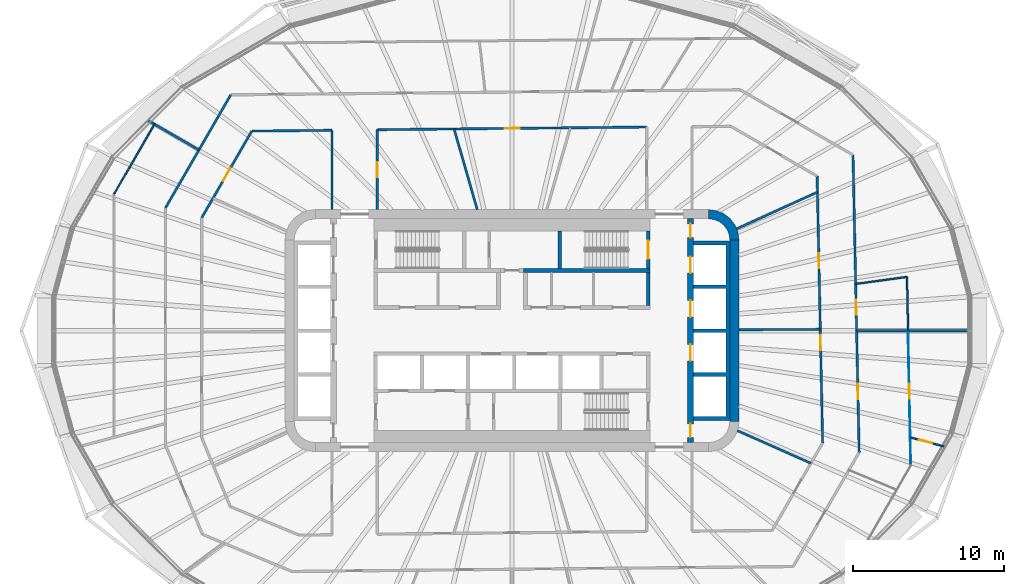
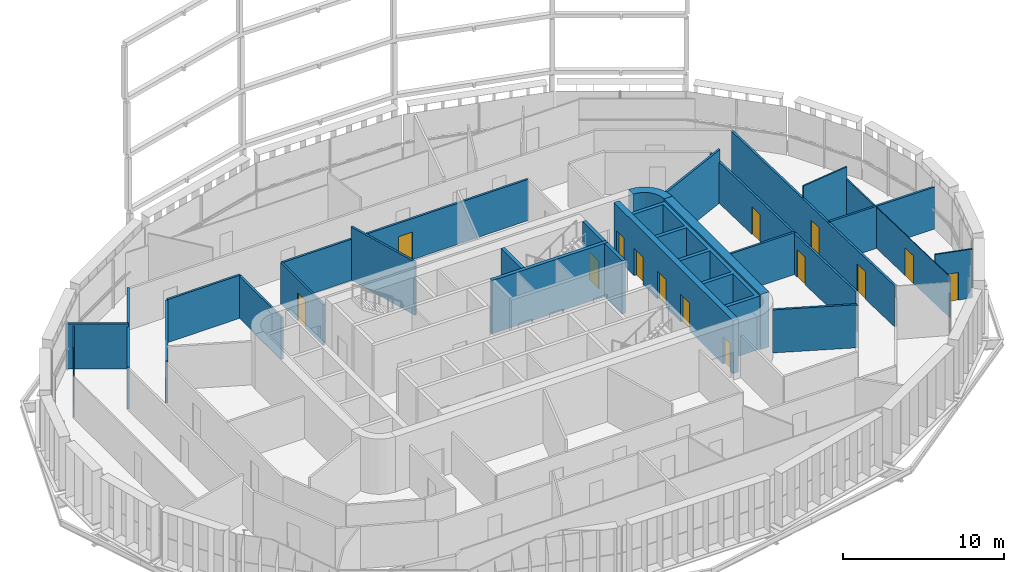
# One storey, part 13 of 22: 27 walls, 15 doors, 15 openings.
"""IFC4 building model written with IfcOpenShell, lengths in metres."""

from ifc_helpers import new_model, si_unit, direction, frame, frame_2d, origin, place, context, subcontext, project, spatial, polyline, rectangle, outline, extrude, material, layer, layer_set, type_object, element, fill, save


model = new_model("IFC4")

# Units and contexts
model_context = context("Model", 3, precision=1e-05, world=origin(), true_north=direction((0.0, 1.0)))
body_context = subcontext(model_context, "Body", "Model", "MODEL_VIEW")
ifc_project = project(units=[si_unit("LENGTHUNIT", "METRE"), si_unit("AREAUNIT", "SQUARE_METRE"), si_unit("VOLUMEUNIT", "CUBIC_METRE"), si_unit("PLANEANGLEUNIT", "RADIAN"), si_unit("MASSUNIT", "GRAM", prefix="KILO")], contexts=[model_context])

# Site, building, storey
site_placement = place(None, origin())
site = spatial("IfcSite", under=ifc_project, at=site_placement, CompositionType="ELEMENT")
building_placement = place(site_placement, origin())
building = spatial("IfcBuilding", under=site, at=building_placement, Name="Sahrelin Media Tower", CompositionType="ELEMENT")
storey_placement = place(building_placement, frame((0.0, 0.0, 50.39990234375)))
storey = spatial("IfcBuildingStorey", under=building, at=storey_placement, Name="L07", CompositionType="ELEMENT", Elevation=50.39990234375)

# Walls
ifc_material_1 = material(Name="Concrete C60/75", Category="concrete")
ifc_layer_1 = layer(ifc_material_1, 0.60009765625)
ifc_layer_set_1 = layer_set([ifc_layer_1], Name="Core wall 600")
wall_type_1 = type_object("IfcWallType", Name="Core wall 600", PredefinedType="SHEAR", material=ifc_layer_set_1)
wall_1_placement = place(storey_placement, frame((14.699951171875, -6.0, 0.0), z_axis=(0.0, 0.0, 1.0), x_axis=(0.0, 1.0, 0.0)))
element("IfcWall", 1, at=wall_1_placement, inside=storey, type_object=wall_type_1, Name="Core wall E L07", PredefinedType="SHEAR", context=body_context, shape_type="SweptSolid", body=[
    extrude(rectangle(XDim=12.0, YDim=0.60009765625, at=frame_2d((6.0, 0.0))), origin(), (0.0, 0.0, 1.0), 4.2001953125),
])
placement = place(storey_placement, origin())
element("IfcWall", 2, at=placement, inside=storey, type_object=wall_type_1, Name="Core wall corner NE L07", PredefinedType="SHEAR", context=body_context, shape_type="SweptSolid", body=[
    extrude(outline(polyline([(13.0, 8.0), (13.0, 7.394775390625), (13.361083984375, 7.347412109375), (13.697509765625, 7.2080078125), (13.986328125, 6.986328125), (14.2080078125, 6.697509765625), (14.347412109375, 6.361083984375), (14.394775390625, 6.0), (15.0, 6.0), (14.931884765625, 6.517578125), (14.732177734375, 7.0), (14.414306640625, 7.414306640625), (14.0, 7.732177734375), (13.517578125, 7.931884765625), (13.0, 8.0)])), origin(), (0.0, 0.0, 1.0), 4.2001953125),
])
ifc_material_2 = material(Name="Fire-rated gypsum board partition")
ifc_layer_2 = layer(ifc_material_2, 0.25)
ifc_layer_set_2 = layer_set([ifc_layer_2], Name="Fire-rated lobby wall 250")
wall_type_2 = type_object("IfcWallType", Name="Fire-rated lobby wall 250", PredefinedType="PARTITIONING", material=ifc_layer_set_2)
wall_3_placement = place(storey_placement, frame((9.0, 1.64990234375, 0.0), z_axis=(0.0, 0.0, 1.0), x_axis=(0.0, 1.0, 0.0)))
element("IfcWall", 3, at=wall_3_placement, inside=storey, type_object=wall_type_2, Name="Core lobby wall", PredefinedType="PARTITIONING", context=body_context, shape_type="SweptSolid", body=[
    extrude(rectangle(XDim=2.2001953125, YDim=0.25, at=frame_2d((1.10009765625, 0.0))), origin(), (0.0, 0.0, 1.0), 4.050048828125),
])

# Wall, openings, doors
ifc_layer_3 = layer(ifc_material_2, 0.14990234375)
ifc_layer_set_3 = layer_set([ifc_layer_3], Name="Fire-rated partition 150")
wall_type_3 = type_object("IfcWallType", Name="Fire-rated partition 150", PredefinedType="PARTITIONING", material=ifc_layer_set_3)
wall_4_placement = place(storey_placement, frame((20.1669921875, 10.212890625, 0.0), z_axis=(0.0, 0.0, 1.0), x_axis=(0.020624730832, -0.999787287616, 0.0)))
wall_4 = element("IfcWall", 4, at=wall_4_placement, inside=storey, type_object=wall_type_3, Name="Wall", PredefinedType="PARTITIONING", context=body_context, shape_type="SweptSolid", body=[
    extrude(rectangle(XDim=17.637451171875, YDim=0.14990234375, at=frame_2d((8.81884765625, 0.0))), origin(), (0.0, 0.0, 1.0), 3.127197265625),
])
opening_1_placement = place(wall_4_placement, frame((10.507568359375, 0.0, 0.0)))
opening_1 = element("IfcOpeningElement", 5, at=opening_1_placement, cuts=wall_4, Name="Opening L07-D27", PredefinedType="OPENING", context=body_context, shape_type="SweptSolid", body=[
    extrude(rectangle(XDim=1.0, YDim=2.10009765625, at=frame_2d((0.5, 1.050048828125))), frame((0.0, 0.074951171875, 0.0), z_axis=(0.0, -1.0, 0.0), x_axis=(1.0, 0.0, 0.0)), (0.0, 0.0, 1.0), 0.14990234375),
])
opening_2_placement = place(wall_4_placement, frame((5.08935546875, 0.0, 0.0)))
opening_2 = element("IfcOpeningElement", 6, at=opening_2_placement, cuts=wall_4, Name="Opening L07-D28", PredefinedType="OPENING", context=body_context, shape_type="SweptSolid", body=[
    extrude(rectangle(XDim=1.0, YDim=2.10009765625, at=frame_2d((0.5, 1.050048828125))), frame((0.0, 0.074951171875, 0.0), z_axis=(0.0, -1.0, 0.0), x_axis=(1.0, 0.0, 0.0)), (0.0, 0.0, 1.0), 0.14990234375),
])
ifc_material_3 = material(Name="Steel fire door leaf", Category="steel")
door_type_1 = type_object("IfcDoorType", Name="Fire door 1000 x 2100 EI 60", OperationType="NOTDEFINED", PredefinedType="DOOR", material=ifc_material_3)
door_1_placement = place(opening_1_placement, origin())
door_1 = element("IfcDoor", 7, at=door_1_placement, inside=storey, type_object=door_type_1, Name="Fire door", OperationType="SINGLE_SWING_RIGHT", OverallHeight=2.10009765625, OverallWidth=1.0, PredefinedType="DOOR", context=body_context, shape_type="SweptSolid", body=[
    extrude(rectangle(XDim=1.0, YDim=2.10009765625, at=frame_2d((0.5, 1.050048828125))), frame((0.0, 0.02490234375, 0.0), z_axis=(0.0, -1.0, 0.0), x_axis=(1.0, 0.0, 0.0)), (0.0, 0.0, 1.0), 0.050048828125),
])
fill(opening_1, door_1)
door_2_placement = place(opening_2_placement, origin())
door_2 = element("IfcDoor", 8, at=door_2_placement, inside=storey, type_object=door_type_1, Name="Fire door", OperationType="SINGLE_SWING_LEFT", OverallHeight=2.10009765625, OverallWidth=1.0, PredefinedType="DOOR", context=body_context, shape_type="SweptSolid", body=[
    extrude(rectangle(XDim=1.0, YDim=2.10009765625, at=frame_2d((0.5, 1.050048828125))), frame((0.0, 0.02490234375, 0.0), z_axis=(0.0, -1.0, 0.0), x_axis=(1.0, 0.0, 0.0)), (0.0, 0.0, 1.0), 0.050048828125),
])
fill(opening_2, door_2)

wall_5_placement = place(storey_placement, frame((22.53857421875, 11.614990234375, 0.0), z_axis=(0.0, 0.0, 1.0), x_axis=(0.020613919434, -0.999787510587, 0.0)))
wall_5 = element("IfcWall", 9, at=wall_5_placement, inside=storey, type_object=wall_type_3, Name="Wall", PredefinedType="PARTITIONING", context=body_context, shape_type="SweptSolid", body=[
    extrude(rectangle(XDim=19.66015625, YDim=0.14990234375, at=frame_2d((9.830078125, 0.0))), origin(), (0.0, 0.0, 1.0), 3.127197265625),
])
opening_3_placement = place(wall_5_placement, frame((9.56982421875, 0.0, 0.0)))
opening_3 = element("IfcOpeningElement", 10, at=opening_3_placement, cuts=wall_5, Name="Opening L07-D37", PredefinedType="OPENING", context=body_context, shape_type="SweptSolid", body=[
    extrude(rectangle(XDim=1.0, YDim=2.10009765625, at=frame_2d((0.5, 1.050048828125))), frame((0.0, 0.074951171875, 0.0), z_axis=(0.0, -1.0, 0.0), x_axis=(1.0, 0.0, 0.0)), (0.0, 0.0, 1.0), 0.14990234375),
])
opening_4_placement = place(wall_5_placement, frame((15.139404296875, 0.0, 0.0)))
opening_4 = element("IfcOpeningElement", 11, at=opening_4_placement, cuts=wall_5, Name="Opening L07-D57", PredefinedType="OPENING", context=body_context, shape_type="SweptSolid", body=[
    extrude(rectangle(XDim=1.0, YDim=2.10009765625, at=frame_2d((0.5, 1.050048828125))), frame((0.0, 0.074951171875, 0.0), z_axis=(0.0, -1.0, 0.0), x_axis=(1.0, 0.0, 0.0)), (0.0, 0.0, 1.0), 0.14990234375),
])
door_3_placement = place(opening_3_placement, origin())
door_3 = element("IfcDoor", 12, at=door_3_placement, inside=storey, type_object=door_type_1, Name="Fire door", OperationType="SINGLE_SWING_LEFT", OverallHeight=2.10009765625, OverallWidth=1.0, PredefinedType="DOOR", context=body_context, shape_type="SweptSolid", body=[
    extrude(rectangle(XDim=1.0, YDim=2.10009765625, at=frame_2d((0.5, 1.050048828125))), frame((0.0, 0.02490234375, 0.0), z_axis=(0.0, -1.0, 0.0), x_axis=(1.0, 0.0, 0.0)), (0.0, 0.0, 1.0), 0.050048828125),
])
fill(opening_3, door_3)
door_4_placement = place(opening_4_placement, origin())
door_4 = element("IfcDoor", 13, at=door_4_placement, inside=storey, type_object=door_type_1, Name="Fire door", OperationType="SINGLE_SWING_RIGHT", OverallHeight=2.10009765625, OverallWidth=1.0, PredefinedType="DOOR", context=body_context, shape_type="SweptSolid", body=[
    extrude(rectangle(XDim=1.0, YDim=2.10009765625, at=frame_2d((0.5, 1.050048828125))), frame((0.0, 0.02490234375, 0.0), z_axis=(0.0, -1.0, 0.0), x_axis=(1.0, 0.0, 0.0)), (0.0, 0.0, 1.0), 0.050048828125),
])
fill(opening_4, door_4)

# Walls
wall_6_placement = place(storey_placement, frame((-3.826904296875, 13.3330078125, 0.0), z_axis=(0.0, 0.0, 1.0), x_axis=(0.275935525478, -0.961176147113, 0.0)))
element("IfcWall", 14, at=wall_6_placement, inside=storey, type_object=wall_type_3, Name="Wall", PredefinedType="PARTITIONING", context=body_context, shape_type="SweptSolid", body=[
    extrude(rectangle(XDim=5.54833984375, YDim=0.14990234375, at=frame_2d((2.774169921875, 0.0))), origin(), (0.0, 0.0, 1.0), 4.050048828125),
])
wall_7_placement = place(storey_placement, frame((-24.055908203125, 13.888916015625, 0.0), z_axis=(0.0, 0.0, 1.0), x_axis=(0.865926134655, -0.500171899772, 0.0)))
element("IfcWall", 15, at=wall_7_placement, inside=storey, type_object=wall_type_3, Name="Wall", PredefinedType="PARTITIONING", context=body_context, shape_type="SweptSolid", body=[
    extrude(rectangle(XDim=3.886962890625, YDim=0.14990234375, at=frame_2d((1.943359375, 0.0))), origin(), (0.0, 0.0, 1.0), 3.427490234375),
])
wall_8_placement = place(storey_placement, frame((14.89501953125, -6.60693359375, 0.0), z_axis=(0.0, 0.0, 1.0), x_axis=(0.914233271379, -0.405188259337, 0.0)))
element("IfcWall", 16, at=wall_8_placement, inside=storey, type_object=wall_type_3, Name="Wall", PredefinedType="PARTITIONING", context=body_context, shape_type="SweptSolid", body=[
    extrude(rectangle(XDim=5.3173828125, YDim=0.14990234375, at=frame_2d((2.65869140625, 0.0))), origin(), (0.0, 0.0, 1.0), 3.276123046875),
])
wall_9_placement = place(storey_placement, frame((22.778076171875, 0.0, 0.0), z_axis=(0.0, 0.0, 1.0), x_axis=(1.0, 0.0, 0.0)))
element("IfcWall", 17, at=wall_9_placement, inside=storey, type_object=wall_type_3, Name="Wall", PredefinedType="PARTITIONING", context=body_context, shape_type="SweptSolid", body=[
    extrude(rectangle(XDim=7.5888671875, YDim=0.14990234375, at=frame_2d((3.79443359375, 0.0))), origin(), (0.0, 0.0, 1.0), 3.1953125),
])
wall_10_placement = place(storey_placement, frame((15.0, 0.06298828125, 0.0), z_axis=(0.0, 0.0, 1.0), x_axis=(0.999990294223, 0.004405843865, 0.0)))
element("IfcWall", 18, at=wall_10_placement, inside=storey, type_object=wall_type_3, Name="Wall", PredefinedType="PARTITIONING", context=body_context, shape_type="SweptSolid", body=[
    extrude(rectangle(XDim=5.375, YDim=0.14990234375, at=frame_2d((2.6875, 0.0))), origin(), (0.0, 0.0, 1.0), 3.1953125),
])
wall_11_placement = place(storey_placement, frame((-17.194091796875, 13.19091796875, 0.0), z_axis=(0.0, 0.0, 1.0), x_axis=(0.999950853109, 0.009914200296, 0.0)))
element("IfcWall", 19, at=wall_11_placement, inside=storey, type_object=wall_type_3, Name="Wall", PredefinedType="PARTITIONING", context=body_context, shape_type="SweptSolid", body=[
    extrude(rectangle(XDim=5.29443359375, YDim=0.14990234375, at=frame_2d((2.647216796875, 0.0))), origin(), (0.0, 0.0, 1.0), 3.276123046875),
])

# Wall, opening, door
wall_12_placement = place(storey_placement, frame((-8.89990234375, 13.282470703125, 0.0), z_axis=(0.0, 0.0, 1.0), x_axis=(0.999950834077, 0.009916119672, 0.0)))
wall_12 = element("IfcWall", 20, at=wall_12_placement, inside=storey, type_object=wall_type_3, Name="Wall", PredefinedType="PARTITIONING", context=body_context, shape_type="SweptSolid", body=[
    extrude(rectangle(XDim=17.80078125, YDim=0.14990234375, at=frame_2d((8.900390625, 0.0))), origin(), (0.0, 0.0, 1.0), 3.127197265625),
])
opening_5_placement = place(wall_12_placement, frame((8.412109375, 0.0, 0.0)))
opening_5 = element("IfcOpeningElement", 21, at=opening_5_placement, cuts=wall_12, Name="Opening L07-D31", PredefinedType="OPENING", context=body_context, shape_type="SweptSolid", body=[
    extrude(rectangle(XDim=1.0, YDim=2.10009765625, at=frame_2d((0.5, 1.050048828125))), frame((0.0, 0.074951171875, 0.0), z_axis=(0.0, -1.0, 0.0), x_axis=(1.0, 0.0, 0.0)), (0.0, 0.0, 1.0), 0.14990234375),
])
door_5_placement = place(opening_5_placement, origin())
door_5 = element("IfcDoor", 22, at=door_5_placement, inside=storey, type_object=door_type_1, Name="Fire door", OperationType="SINGLE_SWING_LEFT", OverallHeight=2.10009765625, OverallWidth=1.0, PredefinedType="DOOR", context=body_context, shape_type="SweptSolid", body=[
    extrude(rectangle(XDim=1.0, YDim=2.10009765625, at=frame_2d((0.5, 1.050048828125))), frame((0.0, 0.02490234375, 0.0), z_axis=(0.0, -1.0, 0.0), x_axis=(1.0, 0.0, 0.0)), (0.0, 0.0, 1.0), 0.050048828125),
])
fill(opening_5, door_5)

# Wall
wall_13_placement = place(storey_placement, frame((14.843017578125, 6.73291015625, 0.0), z_axis=(0.0, 0.0, 1.0), x_axis=(0.910628361306, 0.413226315214, 0.0)))
element("IfcWall", 23, at=wall_13_placement, inside=storey, type_object=wall_type_3, Name="Wall", PredefinedType="PARTITIONING", context=body_context, shape_type="SweptSolid", body=[
    extrude(rectangle(XDim=5.870361328125, YDim=0.14990234375, at=frame_2d((2.93505859375, 0.0))), origin(), (0.0, 0.0, 1.0), 4.050048828125),
])

# Wall, opening, door
wall_14_placement = place(storey_placement, frame((-20.5, 7.47412109375, 0.0), z_axis=(0.0, 0.0, 1.0), x_axis=(0.500012665616, 0.866018091164, 0.0)))
wall_14 = element("IfcWall", 24, at=wall_14_placement, inside=storey, type_object=wall_type_3, Name="Wall", PredefinedType="PARTITIONING", context=body_context, shape_type="SweptSolid", body=[
    extrude(rectangle(XDim=6.602294921875, YDim=0.14990234375, at=frame_2d((3.30126953125, 0.0))), origin(), (0.0, 0.0, 1.0), 3.1953125),
])
opening_6_placement = place(wall_14_placement, frame((2.80322265625, 0.0, 0.0)))
opening_6 = element("IfcOpeningElement", 25, at=opening_6_placement, cuts=wall_14, Name="Opening L07-D33", PredefinedType="OPENING", context=body_context, shape_type="SweptSolid", body=[
    extrude(rectangle(XDim=1.0, YDim=2.10009765625, at=frame_2d((0.5, 1.050048828125))), frame((0.0, 0.074951171875, 0.0), z_axis=(0.0, -1.0, 0.0), x_axis=(1.0, 0.0, 0.0)), (0.0, 0.0, 1.0), 0.14990234375),
])
door_6_placement = place(opening_6_placement, origin())
door_6 = element("IfcDoor", 26, at=door_6_placement, inside=storey, type_object=door_type_1, Name="Fire door", OperationType="SINGLE_SWING_LEFT", OverallHeight=2.10009765625, OverallWidth=1.0, PredefinedType="DOOR", context=body_context, shape_type="SweptSolid", body=[
    extrude(rectangle(XDim=1.0, YDim=2.10009765625, at=frame_2d((0.5, 1.050048828125))), frame((0.0, 0.02490234375, 0.0), z_axis=(0.0, -1.0, 0.0), x_axis=(1.0, 0.0, 0.0)), (0.0, 0.0, 1.0), 0.050048828125),
])
fill(opening_6, door_6)

# Wall
wall_15_placement = place(storey_placement, frame((-22.900146484375, 8.116943359375, 0.0), z_axis=(0.0, 0.0, 1.0), x_axis=(0.5000050195, 0.866022505755, 0.0)))
element("IfcWall", 27, at=wall_15_placement, inside=storey, type_object=wall_type_3, Name="Wall", PredefinedType="PARTITIONING", context=body_context, shape_type="SweptSolid", body=[
    extrude(rectangle(XDim=8.6259765625, YDim=0.14990234375, at=frame_2d((4.31298828125, 0.0))), origin(), (0.0, 0.0, 1.0), 3.1953125),
])

# Wall, opening, door
wall_16_placement = place(storey_placement, frame((-8.89990234375, 8.0, 0.0), z_axis=(0.0, 0.0, 1.0), x_axis=(0.0, 1.0, 0.0)))
wall_16 = element("IfcWall", 28, at=wall_16_placement, inside=storey, type_object=wall_type_3, Name="Wall", PredefinedType="PARTITIONING", context=body_context, shape_type="SweptSolid", body=[
    extrude(rectangle(XDim=5.282958984375, YDim=0.14990234375, at=frame_2d((2.6416015625, 0.0))), origin(), (0.0, 0.0, 1.0), 3.127197265625),
])
opening_7_placement = place(wall_16_placement, frame((2.1416015625, 0.0, 0.0)))
opening_7 = element("IfcOpeningElement", 29, at=opening_7_placement, cuts=wall_16, Name="Opening L07-D32", PredefinedType="OPENING", context=body_context, shape_type="SweptSolid", body=[
    extrude(rectangle(XDim=1.0, YDim=2.10009765625, at=frame_2d((0.5, 1.050048828125))), frame((0.0, 0.074951171875, 0.0), z_axis=(0.0, -1.0, 0.0), x_axis=(1.0, 0.0, 0.0)), (0.0, 0.0, 1.0), 0.14990234375),
])
door_7_placement = place(opening_7_placement, origin())
door_7 = element("IfcDoor", 30, at=door_7_placement, inside=storey, type_object=door_type_1, Name="Fire door", OperationType="SINGLE_SWING_RIGHT", OverallHeight=2.10009765625, OverallWidth=1.0, PredefinedType="DOOR", context=body_context, shape_type="SweptSolid", body=[
    extrude(rectangle(XDim=1.0, YDim=2.10009765625, at=frame_2d((0.5, 1.050048828125))), frame((0.0, 0.02490234375, 0.0), z_axis=(0.0, -1.0, 0.0), x_axis=(1.0, 0.0, 0.0)), (0.0, 0.0, 1.0), 0.050048828125),
])
fill(opening_7, door_7)

# Wall
wall_17_placement = place(storey_placement, frame((-11.89990234375, 8.0, 0.0), z_axis=(0.0, 0.0, 1.0), x_axis=(0.0, 1.0, 0.0)))
element("IfcWall", 31, at=wall_17_placement, inside=storey, type_object=wall_type_3, Name="Wall", PredefinedType="PARTITIONING", context=body_context, shape_type="SweptSolid", body=[
    extrude(rectangle(XDim=5.242919921875, YDim=0.14990234375, at=frame_2d((2.62158203125, 0.0))), origin(), (0.0, 0.0, 1.0), 3.1953125),
])

# Wall, opening, door
ifc_material_4 = material(Name="Clear glass", Category="glass")
ifc_layer_4 = layer(ifc_material_4, 0.050048828125)
ifc_layer_set_4 = layer_set([ifc_layer_4], Name="Glazed partition 50")
wall_type_4 = type_object("IfcWallType", Name="Glazed partition 50", PredefinedType="PARTITIONING", material=ifc_layer_set_4)
wall_18_placement = place(storey_placement, frame((26.17919921875, 0.0, 0.0), z_axis=(0.0, 0.0, 1.0), x_axis=(0.020525621248, -0.999789327245, 0.0)))
wall_18 = element("IfcWall", 32, at=wall_18_placement, inside=storey, type_object=wall_type_4, Name="Wall", PredefinedType="PARTITIONING", context=body_context, shape_type="SweptSolid", body=[
    extrude(rectangle(XDim=8.9208984375, YDim=0.050048828125, at=frame_2d((4.46044921875, 0.0))), origin(), (0.0, 0.0, 1.0), 3.127197265625),
])
opening_8_placement = place(wall_18_placement, frame((3.5126953125, 0.0, 0.0)))
opening_8 = element("IfcOpeningElement", 33, at=opening_8_placement, cuts=wall_18, Name="Opening L07-D59", PredefinedType="OPENING", context=body_context, shape_type="SweptSolid", body=[
    extrude(rectangle(XDim=1.0, YDim=2.10009765625, at=frame_2d((0.5, 1.050048828125))), frame((0.0, 0.02490234375, 0.0), z_axis=(0.0, -1.0, 0.0), x_axis=(1.0, 0.0, 0.0)), (0.0, 0.0, 1.0), 0.050048828125),
])
door_type_2 = type_object("IfcDoorType", Name="Glazed door 1000 x 2100", OperationType="NOTDEFINED", PredefinedType="DOOR", material=ifc_material_4)
door_8_placement = place(opening_8_placement, origin())
door_8 = element("IfcDoor", 34, at=door_8_placement, inside=storey, type_object=door_type_2, Name="Glazed door", OperationType="SINGLE_SWING_LEFT", OverallHeight=2.10009765625, OverallWidth=1.0, PredefinedType="DOOR", context=body_context, shape_type="SweptSolid", body=[
    extrude(rectangle(XDim=1.0, YDim=2.10009765625, at=frame_2d((0.5, 1.050048828125))), frame((0.0, 0.02490234375, 0.0), z_axis=(0.0, -1.0, 0.0), x_axis=(1.0, 0.0, 0.0)), (0.0, 0.0, 1.0), 0.049560546875),
])
fill(opening_8, door_8)

# Wall
ifc_layer_5 = layer(ifc_material_1, 0.25)
ifc_layer_set_5 = layer_set([ifc_layer_5], Name="Lift shaft wall 250")
wall_type_5 = type_object("IfcWallType", Name="Lift shaft wall 250", PredefinedType="SOLIDWALL", material=ifc_layer_set_5)
element("IfcWall", 35, at=placement, inside=storey, type_object=wall_type_5, Name="Lift shaft wall", PredefinedType="SOLIDWALL", context=body_context, shape_type="SweptSolid", body=[
    extrude(outline(polyline([(12.0, -5.675048828125), (12.0, -5.925048828125), (14.14990234375, -5.925048828125), (14.39990234375, -5.925048828125), (14.39990234375, -5.675048828125), (14.39990234375, -3.02490234375), (14.39990234375, -2.77490234375), (14.39990234375, -0.125), (14.39990234375, 0.125), (14.39990234375, 2.77490234375), (14.39990234375, 3.02490234375), (14.39990234375, 5.675048828125), (14.39990234375, 5.925048828125), (14.14990234375, 5.925048828125), (12.0, 5.925048828125), (12.0, 5.675048828125), (14.14990234375, 5.675048828125), (14.14990234375, 3.02490234375), (12.0, 3.02490234375), (12.0, 2.77490234375), (14.14990234375, 2.77490234375), (14.14990234375, 0.125), (12.0, 0.125), (12.0, -0.125), (14.14990234375, -0.125), (14.14990234375, -2.77490234375), (12.0, -2.77490234375), (12.0, -3.02490234375), (14.14990234375, -3.02490234375), (14.14990234375, -5.675048828125), (12.0, -5.675048828125)])), origin(), (0.0, 0.0, 1.0), 4.050048828125),
])

# Wall, openings, doors
ifc_layer_6 = layer(ifc_material_1, 0.39990234375)
ifc_layer_set_6 = layer_set([ifc_layer_6], Name="Lift shaft wall 400")
wall_type_6 = type_object("IfcWallType", Name="Lift shaft wall 400", PredefinedType="SOLIDWALL", material=ifc_layer_set_6)
wall_20_placement = place(storey_placement, frame((11.800048828125, -7.39990234375, 0.0), z_axis=(0.0, 0.0, 1.0), x_axis=(0.0, 1.0, 0.0)))
wall_20 = element("IfcWall", 36, at=wall_20_placement, inside=storey, type_object=wall_type_6, Name="Lift shaft wall", PredefinedType="SOLIDWALL", context=body_context, shape_type="SweptSolid", body=[
    extrude(rectangle(XDim=14.7998046875, YDim=0.39990234375, at=frame_2d((7.39990234375, 0.0))), origin(), (0.0, 0.0, 1.0), 4.050048828125),
])
opening_9_placement = place(wall_20_placement, frame((11.199951171875, 0.0, 0.0)))
opening_9 = element("IfcOpeningElement", 37, at=opening_9_placement, cuts=wall_20, Name="Opening L07-LD-LR4", PredefinedType="OPENING", context=body_context, shape_type="SweptSolid", body=[
    extrude(rectangle(XDim=1.10009765625, YDim=2.10009765625, at=frame_2d((0.550048828125, 1.050048828125))), frame((0.0, 0.199951171875, 0.0), z_axis=(0.0, -1.0, 0.0), x_axis=(1.0, 0.0, 0.0)), (0.0, 0.0, 1.0), 0.39990234375),
])
opening_10_placement = place(wall_20_placement, frame((8.300048828125, 0.0, 0.0)))
opening_10 = element("IfcOpeningElement", 38, at=opening_10_placement, cuts=wall_20, Name="Opening L07-LD-LR5", PredefinedType="OPENING", context=body_context, shape_type="SweptSolid", body=[
    extrude(rectangle(XDim=1.10009765625, YDim=2.10009765625, at=frame_2d((0.550048828125, 1.050048828125))), frame((0.0, 0.199951171875, 0.0), z_axis=(0.0, -1.0, 0.0), x_axis=(1.0, 0.0, 0.0)), (0.0, 0.0, 1.0), 0.39990234375),
])
opening_11_placement = place(wall_20_placement, frame((5.39990234375, 0.0, 0.0)))
opening_11 = element("IfcOpeningElement", 39, at=opening_11_placement, cuts=wall_20, Name="Opening L07-LD-LR6", PredefinedType="OPENING", context=body_context, shape_type="SweptSolid", body=[
    extrude(rectangle(XDim=1.10009765625, YDim=2.10009765625, at=frame_2d((0.550048828125, 1.050048828125))), frame((0.0, 0.199951171875, 0.0), z_axis=(0.0, -1.0, 0.0), x_axis=(1.0, 0.0, 0.0)), (0.0, 0.0, 1.0), 0.39990234375),
])
opening_12_placement = place(wall_20_placement, frame((13.552490234375, 0.0, 0.0)))
opening_12 = element("IfcOpeningElement", 40, at=opening_12_placement, cuts=wall_20, Name="Opening L07-D17", PredefinedType="OPENING", context=body_context, shape_type="SweptSolid", body=[
    extrude(rectangle(XDim=0.89990234375, YDim=2.10009765625, at=frame_2d((0.449951171875, 1.050048828125))), frame((0.0, 0.199951171875, 0.0), z_axis=(0.0, -1.0, 0.0), x_axis=(1.0, 0.0, 0.0)), (0.0, 0.0, 1.0), 0.39990234375),
])
opening_13_placement = place(wall_20_placement, frame((0.347412109375, 0.0, 0.0)))
opening_13 = element("IfcOpeningElement", 41, at=opening_13_placement, cuts=wall_20, Name="Opening L07-D18", PredefinedType="OPENING", context=body_context, shape_type="SweptSolid", body=[
    extrude(rectangle(XDim=0.89990234375, YDim=2.10009765625, at=frame_2d((0.449951171875, 1.050048828125))), frame((0.0, 0.199951171875, 0.0), z_axis=(0.0, -1.0, 0.0), x_axis=(1.0, 0.0, 0.0)), (0.0, 0.0, 1.0), 0.39990234375),
])
ifc_material_5 = material(Name="Stainless steel", Category="steel")
door_type_3 = type_object("IfcDoorType", Name="Lift landing door 1100 x 2100 EI 120", OperationType="DOUBLE_DOOR_SLIDING", PredefinedType="DOOR", material=ifc_material_5)
door_9_placement = place(opening_9_placement, origin())
door_9 = element("IfcDoor", 42, at=door_9_placement, inside=storey, type_object=door_type_3, Name="Lift landing door LR4", OperationType="DOUBLE_DOOR_SLIDING", OverallHeight=2.10009765625, OverallWidth=1.10009765625, PredefinedType="DOOR", context=body_context, shape_type="SweptSolid", body=[
    extrude(rectangle(XDim=1.10009765625, YDim=2.10009765625, at=frame_2d((0.550048828125, 1.050048828125))), frame((0.0, 0.02490234375, 0.0), z_axis=(0.0, -1.0, 0.0), x_axis=(1.0, 0.0, 0.0)), (0.0, 0.0, 1.0), 0.050048828125),
])
fill(opening_9, door_9)
door_10_placement = place(opening_10_placement, origin())
door_10 = element("IfcDoor", 43, at=door_10_placement, inside=storey, type_object=door_type_3, Name="Lift landing door LR5", OperationType="DOUBLE_DOOR_SLIDING", OverallHeight=2.10009765625, OverallWidth=1.10009765625, PredefinedType="DOOR", context=body_context, shape_type="SweptSolid", body=[
    extrude(rectangle(XDim=1.10009765625, YDim=2.10009765625, at=frame_2d((0.550048828125, 1.050048828125))), frame((0.0, 0.02490234375, 0.0), z_axis=(0.0, -1.0, 0.0), x_axis=(1.0, 0.0, 0.0)), (0.0, 0.0, 1.0), 0.050048828125),
])
fill(opening_10, door_10)
door_11_placement = place(opening_11_placement, origin())
door_11 = element("IfcDoor", 44, at=door_11_placement, inside=storey, type_object=door_type_3, Name="Lift landing door LR6", OperationType="DOUBLE_DOOR_SLIDING", OverallHeight=2.10009765625, OverallWidth=1.10009765625, PredefinedType="DOOR", context=body_context, shape_type="SweptSolid", body=[
    extrude(rectangle(XDim=1.10009765625, YDim=2.10009765625, at=frame_2d((0.550048828125, 1.050048828125))), frame((0.0, 0.02490234375, 0.0), z_axis=(0.0, -1.0, 0.0), x_axis=(1.0, 0.0, 0.0)), (0.0, 0.0, 1.0), 0.050048828125),
])
fill(opening_11, door_11)
door_type_4 = type_object("IfcDoorType", Name="Riser door 900 x 2100 EI 120", OperationType="NOTDEFINED", PredefinedType="DOOR", material=ifc_material_3)
door_12_placement = place(opening_12_placement, origin())
door_12 = element("IfcDoor", 45, at=door_12_placement, inside=storey, type_object=door_type_4, Name="Riser door", OperationType="SINGLE_SWING_RIGHT", OverallHeight=2.10009765625, OverallWidth=0.89990234375, PredefinedType="DOOR", context=body_context, shape_type="SweptSolid", body=[
    extrude(rectangle(XDim=0.89990234375, YDim=2.10009765625, at=frame_2d((0.449951171875, 1.050048828125))), frame((0.0, 0.02490234375, 0.0), z_axis=(0.0, -1.0, 0.0), x_axis=(1.0, 0.0, 0.0)), (0.0, 0.0, 1.0), 0.050048828125),
])
fill(opening_12, door_12)
door_13_placement = place(opening_13_placement, origin())
door_13 = element("IfcDoor", 46, at=door_13_placement, inside=storey, type_object=door_type_4, Name="Riser door", OperationType="SINGLE_SWING_RIGHT", OverallHeight=2.10009765625, OverallWidth=0.89990234375, PredefinedType="DOOR", context=body_context, shape_type="SweptSolid", body=[
    extrude(rectangle(XDim=0.89990234375, YDim=2.10009765625, at=frame_2d((0.449951171875, 1.050048828125))), frame((0.0, 0.02490234375, 0.0), z_axis=(0.0, -1.0, 0.0), x_axis=(1.0, 0.0, 0.0)), (0.0, 0.0, 1.0), 0.050048828125),
])
fill(opening_13, door_13)

# Wall
ifc_material_6 = material(Name="Gypsum board partition")
ifc_layer_7 = layer(ifc_material_6, 0.10009765625)
ifc_layer_set_7 = layer_set([ifc_layer_7], Name="Partition 100")
wall_type_7 = type_object("IfcWallType", Name="Partition 100", PredefinedType="PARTITIONING", material=ifc_layer_set_7)
wall_21_placement = place(storey_placement, frame((26.10595703125, 3.552001953125, 0.0), z_axis=(0.0, 0.0, 1.0), x_axis=(0.020546902065, -0.999788890124, 0.0)))
element("IfcWall", 47, at=wall_21_placement, inside=storey, type_object=wall_type_7, Name="Wall", PredefinedType="PARTITIONING", context=body_context, shape_type="SweptSolid", body=[
    extrude(rectangle(XDim=3.552734375, YDim=0.10009765625, at=frame_2d((1.7763671875, 0.0))), origin(), (0.0, 0.0, 1.0), 3.127197265625),
])

# Wall, opening, door
wall_22_placement = place(storey_placement, frame((26.324951171875, -7.053955078125, 0.0), z_axis=(0.0, 0.0, 1.0), x_axis=(0.965931782, -0.258796817064, 0.0)))
wall_22 = element("IfcWall", 48, at=wall_22_placement, inside=storey, type_object=wall_type_7, Name="Wall", PredefinedType="PARTITIONING", context=body_context, shape_type="SweptSolid", body=[
    extrude(rectangle(XDim=2.4111328125, YDim=0.10009765625, at=frame_2d((1.20556640625, 0.0))), origin(), (0.0, 0.0, 1.0), 3.726806640625),
])
opening_14_placement = place(wall_22_placement, frame((0.60009765625, 0.0, 0.0)))
opening_14 = element("IfcOpeningElement", 49, at=opening_14_placement, cuts=wall_22, Name="Opening L07-D58", PredefinedType="OPENING", context=body_context, shape_type="SweptSolid", body=[
    extrude(rectangle(XDim=0.89990234375, YDim=2.10009765625, at=frame_2d((0.449951171875, 1.050048828125))), frame((0.0, 0.050048828125, 0.0), z_axis=(0.0, -1.0, 0.0), x_axis=(1.0, 0.0, 0.0)), (0.0, 0.0, 1.0), 0.10009765625),
])
ifc_material_7 = material(Name="Timber door leaf", Category="wood")
door_type_5 = type_object("IfcDoorType", Name="Single door 900 x 2100", OperationType="NOTDEFINED", PredefinedType="DOOR", material=ifc_material_7)
door_14_placement = place(opening_14_placement, origin())
door_14 = element("IfcDoor", 50, at=door_14_placement, inside=storey, type_object=door_type_5, Name="Single door", OperationType="SINGLE_SWING_RIGHT", OverallHeight=2.10009765625, OverallWidth=0.89990234375, PredefinedType="DOOR", context=body_context, shape_type="SweptSolid", body=[
    extrude(rectangle(XDim=0.89990234375, YDim=2.10009765625, at=frame_2d((0.449951171875, 1.050048828125))), frame((0.0, 0.02490234375, 0.0), z_axis=(0.0, -1.0, 0.0), x_axis=(1.0, 0.0, 0.0)), (0.0, 0.0, 1.0), 0.050048828125),
])
fill(opening_14, door_14)

# Walls
wall_23_placement = place(storey_placement, frame((22.715087890625, 3.091064453125, 0.0), z_axis=(0.0, 0.0, 1.0), x_axis=(0.990886952304, 0.134696131179, 0.0)))
element("IfcWall", 51, at=wall_23_placement, inside=storey, type_object=wall_type_7, Name="Wall", PredefinedType="PARTITIONING", context=body_context, shape_type="SweptSolid", body=[
    extrude(rectangle(XDim=3.422119140625, YDim=0.10009765625, at=frame_2d((1.7109375, 0.0))), origin(), (0.0, 0.0, 1.0), 4.050048828125),
])
wall_24_placement = place(storey_placement, frame((-26.300048828125, 9.028076171875, 0.0), z_axis=(0.0, 0.0, 1.0), x_axis=(0.500059382915, 0.865991116328, 0.0)))
element("IfcWall", 52, at=wall_24_placement, inside=storey, type_object=wall_type_7, Name="Wall", PredefinedType="PARTITIONING", context=body_context, shape_type="SweptSolid", body=[
    extrude(rectangle(XDim=5.331298828125, YDim=0.10009765625, at=frame_2d((2.66552734375, 0.0))), origin(), (0.0, 0.0, 1.0), 3.276123046875),
])

# Wall, opening, door
ifc_layer_8 = layer(ifc_material_1, 0.25)
ifc_layer_set_8 = layer_set([ifc_layer_8], Name="Stair enclosure wall 250")
wall_type_8 = type_object("IfcWallType", Name="Stair enclosure wall 250", PredefinedType="SOLIDWALL", material=ifc_layer_set_8)
wall_25_placement = place(storey_placement, frame((9.0, 4.10009765625, 0.0), z_axis=(0.0, 0.0, 1.0), x_axis=(0.0, 1.0, 0.0)))
wall_25 = element("IfcWall", 53, at=wall_25_placement, inside=storey, type_object=wall_type_8, Name="Stair enclosure wall", PredefinedType="SOLIDWALL", context=body_context, shape_type="SweptSolid", body=[
    extrude(rectangle(XDim=2.5, YDim=0.25, at=frame_2d((1.25, 0.0))), origin(), (0.0, 0.0, 1.0), 4.050048828125),
])
opening_15_placement = place(wall_25_placement, frame((0.64990234375, 0.0, 0.0)))
opening_15 = element("IfcOpeningElement", 54, at=opening_15_placement, cuts=wall_25, Name="Opening L07-D02", PredefinedType="OPENING", context=body_context, shape_type="SweptSolid", body=[
    extrude(rectangle(XDim=1.199951171875, YDim=2.10009765625, at=frame_2d((0.60009765625, 1.050048828125))), frame((0.0, 0.125, 0.0), z_axis=(0.0, -1.0, 0.0), x_axis=(1.0, 0.0, 0.0)), (0.0, 0.0, 1.0), 0.25),
])
door_type_6 = type_object("IfcDoorType", Name="Stair door 1200 x 2100 EI 120", OperationType="NOTDEFINED", PredefinedType="DOOR", material=ifc_material_3)
door_15_placement = place(opening_15_placement, origin())
door_15 = element("IfcDoor", 55, at=door_15_placement, inside=storey, type_object=door_type_6, Name="Stair door ST3", OperationType="SINGLE_SWING_LEFT", OverallHeight=2.10009765625, OverallWidth=1.199951171875, PredefinedType="DOOR", context=body_context, shape_type="SweptSolid", body=[
    extrude(rectangle(XDim=1.199951171875, YDim=2.10009765625, at=frame_2d((0.60009765625, 1.050048828125))), frame((0.0, 0.02490234375, 0.0), z_axis=(0.0, -1.0, 0.0), x_axis=(1.0, 0.0, 0.0)), (0.0, 0.0, 1.0), 0.050048828125),
])
fill(opening_15, door_15)

# Walls
wall_26_placement = place(storey_placement, frame((3.14990234375, 4.10009765625, 0.0), z_axis=(0.0, 0.0, 1.0), x_axis=(0.0, 1.0, 0.0)))
element("IfcWall", 56, at=wall_26_placement, inside=storey, type_object=wall_type_8, Name="Stair enclosure wall", PredefinedType="SOLIDWALL", context=body_context, shape_type="SweptSolid", body=[
    extrude(rectangle(XDim=2.5, YDim=0.25, at=frame_2d((1.25, 0.0))), origin(), (0.0, 0.0, 1.0), 4.050048828125),
])
wall_27_placement = place(storey_placement, frame((0.77490234375, 3.97509765625, 0.0), z_axis=(0.0, 0.0, 1.0), x_axis=(1.0, 0.0, 0.0)))
element("IfcWall", 57, at=wall_27_placement, inside=storey, type_object=wall_type_8, Name="Stair enclosure wall", PredefinedType="SOLIDWALL", context=body_context, shape_type="SweptSolid", body=[
    extrude(rectangle(XDim=8.35009765625, YDim=0.25, at=frame_2d((4.175048828125, 0.0))), origin(), (0.0, 0.0, 1.0), 4.050048828125),
])

save(model, "model.ifc")
